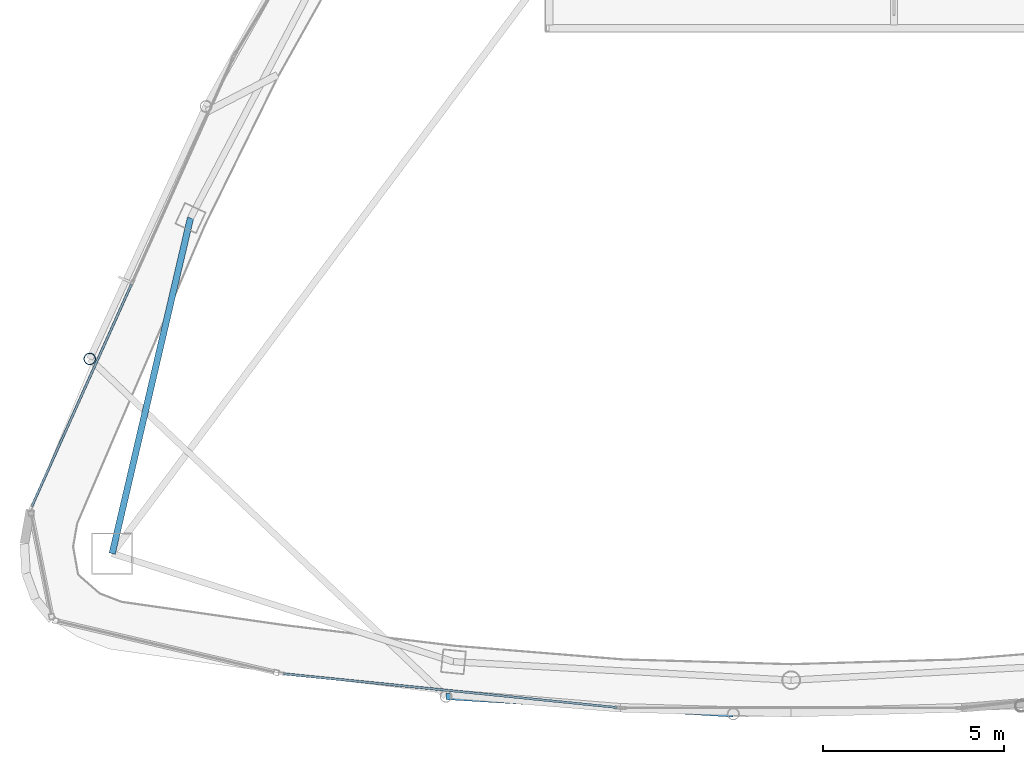
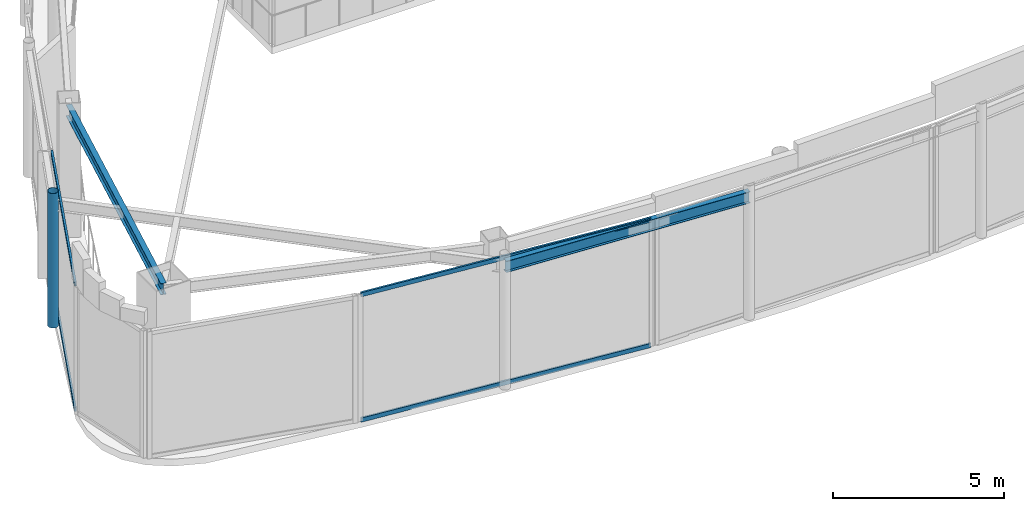
# One storey, part 3 of 18: 5 members, 2 beams, 2 elements without a shape of their own.
"""IFC4 building model written with IfcOpenShell, lengths in metres."""

from ifc_helpers import new_model, si_unit, direction, frame, origin, origin_2d, place, context, subcontext, project, spatial, hollow_rectangle, hollow_circle, i_section, extrude, material, layer, layer_set, material_profile, profile_set, type_object, element, aggregate, save


model = new_model("IFC4")

# Units and contexts
model_context = context("Model", 3, precision=1e-05, world=origin(), true_north=direction((0.0, 1.0)))
body_context = subcontext(model_context, "Body", "Model", "MODEL_VIEW")
ifc_project = project(units=[si_unit("LENGTHUNIT", "METRE"), si_unit("AREAUNIT", "SQUARE_METRE"), si_unit("VOLUMEUNIT", "CUBIC_METRE"), si_unit("PLANEANGLEUNIT", "RADIAN"), si_unit("MASSUNIT", "GRAM", prefix="KILO")], contexts=[model_context])

# Site, building, storey
site_placement = place(None, origin())
site = spatial("IfcSite", under=ifc_project, at=site_placement, CompositionType="ELEMENT")
building_placement = place(site_placement, origin())
building = spatial("IfcBuilding", under=site, at=building_placement, Name="Orvanel Arch Residences", CompositionType="ELEMENT")
storey_placement = place(building_placement, frame((0.0, 0.0, 310.10009765625)))
storey = spatial("IfcBuildingStorey", under=building, at=storey_placement, Name="L86", CompositionType="ELEMENT", Elevation=310.10009765625)

# Beams
ifc_material_1 = material(Name="Structural steel AS/NZS 3679.1 Grade 300 (300 MPa)", Category="steel")
ifc_material_profile_1 = material_profile(ifc_material_1, i_section(OverallWidth=0.177978515625, OverallDepth=0.406005859375, WebThickness=0.0078125, FlangeThickness=0.0126953125, at=origin_2d()), Name="410UB59.7")
ifc_profile_set_1 = profile_set([ifc_material_profile_1], Name="Structural steel AS/NZS 3679.1 Grade 300 (300 MPa)")
beam_type_1 = type_object("IfcBeamType", Name="OB-410UB", PredefinedType="SPANDREL", material=ifc_profile_set_1)
beam_1_placement = place(storey_placement, frame((16.366943359375, 19.64208984375, 4.3369140625), z_axis=(-0.227236087167, -0.973839699688, 0.0), x_axis=(0.973839699688, -0.227236087167, 0.0)))
element("IfcBeam", 1, at=beam_1_placement, inside=storey, type_object=beam_type_1, Name="L86 Perimeter Spandrel Beam 01", PredefinedType="SPANDREL", context=body_context, shape_type="SweptSolid", body=[
    extrude(i_section(OverallWidth=0.177978515625, OverallDepth=0.406005859375, WebThickness=0.0078125, FlangeThickness=0.0126953125, at=origin_2d()), origin(), (0.0, 0.0, 1.0), 9.54052734375),
])
ifc_material_profile_2 = material_profile(ifc_material_1, i_section(OverallWidth=0.177978515625, OverallDepth=0.406005859375, WebThickness=0.0078125, FlangeThickness=0.0126953125, at=origin_2d()), Name="410UB59.7")
ifc_profile_set_2 = profile_set([ifc_material_profile_2], Name="Structural steel AS/NZS 3679.1 Grade 300 (300 MPa)")
beam_type_2 = type_object("IfcBeamType", Name="OB-410UB-EXT", PredefinedType="SPANDREL", material=ifc_profile_set_2)
beam_2_placement = place(storey_placement, frame((23.44189453125, 6.39404296875, 4.3369140625), z_axis=(0.998146745254, -0.060852895889, 0.0), x_axis=(0.060852895889, 0.998146745254, 0.0)))
element("IfcBeam", 2, at=beam_2_placement, inside=storey, type_object=beam_type_2, Name="L86 Outer Perimeter Floor Ring Beam 05", PredefinedType="SPANDREL", context=body_context, shape_type="SweptSolid", body=[
    extrude(i_section(OverallWidth=0.177978515625, OverallDepth=0.406005859375, WebThickness=0.0078125, FlangeThickness=0.0126953125, at=origin_2d()), origin(), (0.0, 0.0, 1.0), 7.971923828125),
])

# Member
ifc_material_2 = material(Name="Structural steel AS/NZS 1163 C350L0 (Grade 350)", Category="steel")
ifc_material_profile_3 = material_profile(ifc_material_2, hollow_circle(Radius=0.162109375, WallThickness=0.0126953125, at=origin_2d()), Name="CHS324x12.7")
ifc_profile_set_3 = profile_set([ifc_material_profile_3], Name="Structural steel AS/NZS 1163 C350L0 (Grade 350)")
member_type_1 = type_object("IfcMemberType", Name="ST-324CHS-EXT", PredefinedType="STRUT", material=ifc_profile_set_3)
member_1_placement = place(storey_placement, frame((13.577880859375, 15.740966796875, 0.0), z_axis=(0.0, 0.0, 1.0), x_axis=(1.0, 0.0, 0.0)))
element("IfcMember", 3, at=member_1_placement, inside=storey, type_object=member_type_1, Name="L86 Outer Perimeter Frame Post 04", PredefinedType="STRUT", context=body_context, shape_type="SweptSolid", body=[
    extrude(hollow_circle(Radius=0.162109375, WallThickness=0.0126953125, at=origin_2d()), origin(), (0.0, 0.0, 1.0), 4.7998046875),
])

# Curtain wall, members
ifc_material_3 = material(Name="Bronze-anodised aluminium AA6063-T6", Category="aluminium")
ifc_layer = layer(ifc_material_3, 0.2099609375)
ifc_layer_set = layer_set([ifc_layer], Name="Bronze-anodised aluminium AA6063-T6")
curtain_wall_type = type_object("IfcCurtainWallType", Name="CW7-TOP-SYS", PredefinedType="NOTDEFINED", material=ifc_layer_set)
curtain_wall_1_placement = place(storey_placement, origin())
curtain_wall_1 = element("IfcCurtainWall", 4, at=curtain_wall_1_placement, inside=storey, type_object=curtain_wall_type, Name="L86 CW7-TOP-SYS Unitised Curtain Wall", PredefinedType="NOTDEFINED")
ifc_material_profile_4 = material_profile(ifc_material_3, hollow_rectangle(XDim=0.06494140625, YDim=0.14990234375, WallThickness=0.00390625, at=origin_2d()), Name="ALU150x65x4")
ifc_profile_set_4 = profile_set([ifc_material_profile_4], Name="Bronze-anodised aluminium AA6063-T6")
member_type_2 = type_object("IfcMemberType", Name="TRN-150x65", PredefinedType="USERDEFINED", material=ifc_profile_set_4)
member_2_placement = place(storey_placement, frame((14.734619140625, 17.811767578125, 0.032470703125), z_axis=(-0.409346580659, -0.912378965618, 0.0), x_axis=(0.912378965618, -0.409346580659, 0.0)))
member_2 = element("IfcMember", 5, at=member_2_placement, type_object=member_type_2, Name="CW-S7 transom 2.1", ObjectType="TRANSOM", PredefinedType="USERDEFINED", context=body_context, shape_type="SweptSolid", body=[
    extrude(hollow_rectangle(XDim=0.06494140625, YDim=0.14990234375, WallThickness=0.00390625, at=origin_2d()), origin(), (0.0, 0.0, 1.0), 6.751953125),
])
member_3_placement = place(storey_placement, frame((14.734619140625, 17.811767578125, 4.50732421875), z_axis=(-0.409346580659, -0.912378965618, 0.0), x_axis=(0.912378965618, -0.409346580659, 0.0)))
member_3 = element("IfcMember", 6, at=member_3_placement, type_object=member_type_2, Name="CW-S7 transom 2.2", ObjectType="TRANSOM", PredefinedType="USERDEFINED", context=body_context, shape_type="SweptSolid", body=[
    extrude(hollow_rectangle(XDim=0.06494140625, YDim=0.14990234375, WallThickness=0.00390625, at=origin_2d()), origin(), (0.0, 0.0, 1.0), 6.751953125),
])
aggregate(curtain_wall_1, [member_2, member_3])

curtain_wall_2_placement = place(storey_placement, origin())
curtain_wall_2 = element("IfcCurtainWall", 7, at=curtain_wall_2_placement, inside=storey, type_object=curtain_wall_type, Name="L86 CW7-TOP-SYS Unitised Curtain Wall", PredefinedType="NOTDEFINED")
member_4_placement = place(storey_placement, frame((18.9326171875, 7.0224609375, 0.032470703125), z_axis=(0.994933979893, -0.100530471276, 0.0), x_axis=(0.100530471276, 0.994933979893, 0.0)))
member_4 = element("IfcMember", 8, at=member_4_placement, type_object=member_type_2, Name="CW-S7 transom 1.1", ObjectType="TRANSOM", PredefinedType="USERDEFINED", context=body_context, shape_type="SweptSolid", body=[
    extrude(hollow_rectangle(XDim=0.06494140625, YDim=0.14990234375, WallThickness=0.00390625, at=origin_2d()), origin(), (0.0, 0.0, 1.0), 9.298828125),
])
member_5_placement = place(storey_placement, frame((18.9326171875, 7.0224609375, 4.50732421875), z_axis=(0.994933979893, -0.100530471276, 0.0), x_axis=(0.100530471276, 0.994933979893, 0.0)))
member_5 = element("IfcMember", 9, at=member_5_placement, type_object=member_type_2, Name="CW-S7 transom 1.2", ObjectType="TRANSOM", PredefinedType="USERDEFINED", context=body_context, shape_type="SweptSolid", body=[
    extrude(hollow_rectangle(XDim=0.06494140625, YDim=0.14990234375, WallThickness=0.00390625, at=origin_2d()), origin(), (0.0, 0.0, 1.0), 9.298828125),
])
aggregate(curtain_wall_2, [member_4, member_5])

save(model, "model.ifc")
